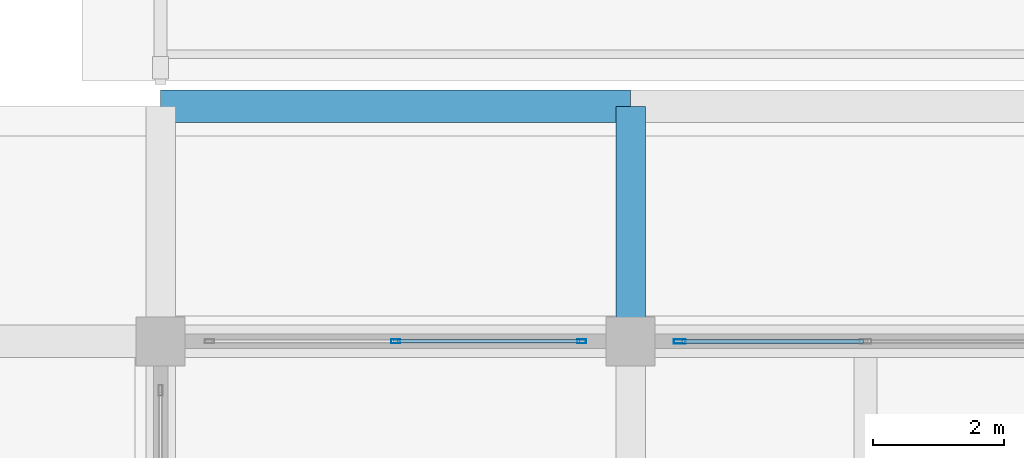
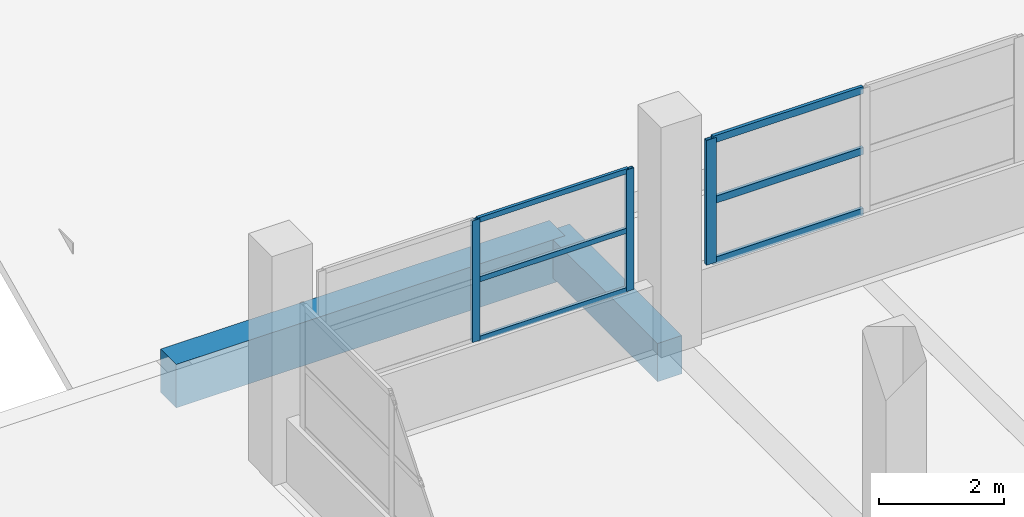
# One storey, part 60 of 141: 9 members, 2 beams, 2 elements without a shape of their own.
"""IFC4 building model written with IfcOpenShell, lengths in metres."""

from ifc_helpers import new_model, si_unit, direction, frame, origin, origin_2d, place, context, subcontext, project, spatial, rectangle, hollow_rectangle, extrude, material, layer, layer_set, material_profile, profile_set, type_object, element, aggregate, save


model = new_model("IFC4")

# Units and contexts
model_context = context("Model", 3, precision=1e-05, world=origin(), true_north=direction((0.0, 1.0)))
body_context = subcontext(model_context, "Body", "Model", "MODEL_VIEW")
ifc_project = project(units=[si_unit("LENGTHUNIT", "METRE"), si_unit("AREAUNIT", "SQUARE_METRE"), si_unit("VOLUMEUNIT", "CUBIC_METRE"), si_unit("PLANEANGLEUNIT", "RADIAN"), si_unit("MASSUNIT", "GRAM", prefix="KILO")], contexts=[model_context])

# Site, building, storey
site_placement = place(None, origin())
site = spatial("IfcSite", under=ifc_project, at=site_placement, CompositionType="ELEMENT")
building_placement = place(site_placement, origin())
building = spatial("IfcBuilding", under=site, at=building_placement, Name="Seraya Terrace Polytechnic", CompositionType="ELEMENT")
storey_placement = place(building_placement, frame((0.0, 0.0, 14.39990234375)))
storey = spatial("IfcBuildingStorey", under=building, at=storey_placement, Name="L03", CompositionType="ELEMENT", Elevation=14.39990234375)

# Beams
ifc_material_1 = material(Name="Concrete C40/50", Category="concrete")
ifc_material_profile_1 = material_profile(ifc_material_1, rectangle(XDim=0.5, YDim=0.85009765625, at=origin_2d()), Name="RC 500x850")
ifc_profile_set_1 = profile_set([ifc_material_profile_1], Name="Concrete C40/50")
beam_type_1 = type_object("IfcBeamType", Name="BM-05", PredefinedType="BEAM", material=ifc_profile_set_1)
beam_1_placement = place(storey_placement, frame((14.39990234375, 75.60009765625, -0.4248046875), z_axis=(1.0, 0.0, 0.0), x_axis=(0.0, 1.0, 0.0)))
element("IfcBeam", 1, at=beam_1_placement, inside=storey, type_object=beam_type_1, Name="Beam BM-05 L03 X (14.4..21.6, 75.6)", PredefinedType="BEAM", context=body_context, shape_type="SweptSolid", body=[
    extrude(rectangle(XDim=0.5, YDim=0.85009765625, at=origin_2d()), origin(), (0.0, 0.0, 1.0), 7.2001953125),
])
ifc_material_profile_2 = material_profile(ifc_material_1, rectangle(XDim=0.449951171875, YDim=0.75, at=origin_2d()), Name="RC 450x750")
ifc_profile_set_2 = profile_set([ifc_material_profile_2], Name="Concrete C40/50")
beam_type_2 = type_object("IfcBeamType", Name="BM-08", PredefinedType="BEAM", material=ifc_profile_set_2)
beam_2_placement = place(storey_placement, frame((21.60009765625, 72.0, -0.375), z_axis=(0.0, 1.0, 0.0), x_axis=(-1.0, 0.0, 0.0)))
element("IfcBeam", 2, at=beam_2_placement, inside=storey, type_object=beam_type_2, Name="Beam BM-08 L03 Y (21.6, 72.0..75.6)", PredefinedType="BEAM", context=body_context, shape_type="SweptSolid", body=[
    extrude(rectangle(XDim=0.449951171875, YDim=0.75, at=origin_2d()), origin(), (0.0, 0.0, 1.0), 3.60009765625),
])

# Curtain wall, member
ifc_material_2 = material(Name="Anodised aluminium EN AW-6063 T6", Category="aluminium")
ifc_layer_1 = layer(ifc_material_2, 0.179931640625, Name="CW-07")
ifc_layer_set_1 = layer_set([ifc_layer_1], Name="Anodised aluminium EN AW-6063 T6")
curtain_wall_type_1 = type_object("IfcCurtainWallType", Name="CW-07", PredefinedType="NOTDEFINED", material=ifc_layer_set_1)
curtain_wall_1_placement = place(storey_placement, origin())
curtain_wall_1 = element("IfcCurtainWall", 3, at=curtain_wall_1_placement, inside=storey, type_object=curtain_wall_type_1, Name="Unitised curtain wall CW-07 (CW-L03-115)", PredefinedType="NOTDEFINED")
ifc_material_profile_3 = material_profile(ifc_material_2, hollow_rectangle(XDim=0.06494140625, YDim=0.179931640625, WallThickness=0.00390625, at=origin_2d()), Name="RHS 180x65x4.0")
ifc_profile_set_3 = profile_set([ifc_material_profile_3], Name="Anodised aluminium EN AW-6063 T6")
member_type_1 = type_object("IfcMemberType", Name="CWM-01", PredefinedType="MULLION", material=ifc_profile_set_3)
member_1_placement = place(storey_placement, frame((22.3525390625, 72.0, 1.239990234375), z_axis=(0.0, 0.0, 1.0), x_axis=(0.0, 1.0, 0.0)))
member_1 = element("IfcMember", 4, at=member_1_placement, type_object=member_type_1, Name="CW-07 mullion 1", PredefinedType="MULLION", context=body_context, shape_type="SweptSolid", body=[
    extrude(hollow_rectangle(XDim=0.06494140625, YDim=0.179931640625, WallThickness=0.00390625, at=origin_2d()), origin(), (0.0, 0.0, 1.0), 2.440185546875),
])

# Curtain wall, members
ifc_layer_2 = layer(ifc_material_2, 0.179931640625, Name="CW-06")
ifc_layer_set_2 = layer_set([ifc_layer_2], Name="Anodised aluminium EN AW-6063 T6")
curtain_wall_type_2 = type_object("IfcCurtainWallType", Name="CW-06", PredefinedType="NOTDEFINED", material=ifc_layer_set_2)
curtain_wall_2_placement = place(storey_placement, origin())
curtain_wall_2 = element("IfcCurtainWall", 5, at=curtain_wall_2_placement, inside=storey, type_object=curtain_wall_type_2, Name="Unitised curtain wall CW-06 (CW-L03-114)", PredefinedType="NOTDEFINED")
ifc_material_profile_4 = material_profile(ifc_material_2, hollow_rectangle(XDim=0.06005859375, YDim=0.139892578125, WallThickness=0.00341796875, at=origin_2d()), Name="RHS 140x60x3.5")
ifc_profile_set_4 = profile_set([ifc_material_profile_4], Name="Anodised aluminium EN AW-6063 T6")
member_type_2 = type_object("IfcMemberType", Name="CWM-03", PredefinedType="MULLION", material=ifc_profile_set_4)
member_2_placement = place(storey_placement, frame((18.0, 72.0, 1.239990234375), z_axis=(0.0, 0.0, 1.0), x_axis=(0.0, 1.0, 0.0)))
member_2 = element("IfcMember", 6, at=member_2_placement, type_object=member_type_2, Name="CW-06 mullion 2", PredefinedType="MULLION", context=body_context, shape_type="SweptSolid", body=[
    extrude(hollow_rectangle(XDim=0.06005859375, YDim=0.139892578125, WallThickness=0.00341796875, at=origin_2d()), origin(), (0.0, 0.0, 1.0), 2.380126953125),
])
member_3_placement = place(storey_placement, frame((20.85009765625, 72.0, 1.239990234375), z_axis=(0.0, 0.0, 1.0), x_axis=(0.0, 1.0, 0.0)))
member_3 = element("IfcMember", 7, at=member_3_placement, type_object=member_type_2, Name="CW-06 mullion 3", PredefinedType="MULLION", context=body_context, shape_type="SweptSolid", body=[
    extrude(hollow_rectangle(XDim=0.06005859375, YDim=0.139892578125, WallThickness=0.00341796875, at=origin_2d()), origin(), (0.0, 0.0, 1.0), 2.380126953125),
])

# Member
ifc_material_profile_5 = material_profile(ifc_material_2, hollow_rectangle(XDim=0.06005859375, YDim=0.139892578125, WallThickness=0.00341796875, at=origin_2d()), Name="RHS 140x60x3.5")
ifc_profile_set_5 = profile_set([ifc_material_profile_5], Name="Anodised aluminium EN AW-6063 T6")
member_type_3 = type_object("IfcMemberType", Name="CWT-01", PredefinedType="USERDEFINED", material=ifc_profile_set_5)
member_4_placement = place(storey_placement, frame((22.385009765625, 72.0, 1.27001953125), z_axis=(1.0, 0.0, 0.0), x_axis=(0.0, 1.0, 0.0)))
member_4 = element("IfcMember", 8, at=member_4_placement, type_object=member_type_3, Name="CW-07 transom 1.1", ObjectType="TRANSOM", PredefinedType="USERDEFINED", context=body_context, shape_type="SweptSolid", body=[
    extrude(hollow_rectangle(XDim=0.06005859375, YDim=0.139892578125, WallThickness=0.00341796875, at=origin_2d()), origin(), (0.0, 0.0, 1.0), 2.782470703125),
])

member_5_placement = place(storey_placement, frame((22.385009765625, 72.0, 2.460205078125), z_axis=(1.0, 0.0, 0.0), x_axis=(0.0, 1.0, 0.0)))
member_5 = element("IfcMember", 9, at=member_5_placement, type_object=member_type_3, Name="CW-07 transom 1.2", ObjectType="TRANSOM", PredefinedType="USERDEFINED", context=body_context, shape_type="SweptSolid", body=[
    extrude(hollow_rectangle(XDim=0.06005859375, YDim=0.139892578125, WallThickness=0.00341796875, at=origin_2d()), origin(), (0.0, 0.0, 1.0), 2.782470703125),
])

member_6_placement = place(storey_placement, frame((22.385009765625, 72.0, 3.650146484375), z_axis=(1.0, 0.0, 0.0), x_axis=(0.0, 1.0, 0.0)))
member_6 = element("IfcMember", 10, at=member_6_placement, type_object=member_type_3, Name="CW-07 transom 1.3", ObjectType="TRANSOM", PredefinedType="USERDEFINED", context=body_context, shape_type="SweptSolid", body=[
    extrude(hollow_rectangle(XDim=0.06005859375, YDim=0.139892578125, WallThickness=0.00341796875, at=origin_2d()), origin(), (0.0, 0.0, 1.0), 2.782470703125),
])

aggregate(curtain_wall_1, [member_1, member_4, member_5, member_6])

ifc_material_profile_6 = material_profile(ifc_material_2, hollow_rectangle(XDim=0.054931640625, YDim=0.10009765625, WallThickness=0.0029296875, at=origin_2d()), Name="RHS 100x55x3.0")
ifc_profile_set_6 = profile_set([ifc_material_profile_6], Name="Anodised aluminium EN AW-6063 T6")
member_type_4 = type_object("IfcMemberType", Name="CWT-03", PredefinedType="USERDEFINED", material=ifc_profile_set_6)
member_7_placement = place(storey_placement, frame((18.030029296875, 72.0, 1.267578125), z_axis=(1.0, 0.0, 0.0), x_axis=(0.0, 1.0, 0.0)))
member_7 = element("IfcMember", 11, at=member_7_placement, type_object=member_type_4, Name="CW-06 transom 2.1", ObjectType="TRANSOM", PredefinedType="USERDEFINED", context=body_context, shape_type="SweptSolid", body=[
    extrude(hollow_rectangle(XDim=0.054931640625, YDim=0.10009765625, WallThickness=0.0029296875, at=origin_2d()), origin(), (0.0, 0.0, 1.0), 2.7900390625),
])

member_8_placement = place(storey_placement, frame((18.030029296875, 72.0, 2.43017578125), z_axis=(1.0, 0.0, 0.0), x_axis=(0.0, 1.0, 0.0)))
member_8 = element("IfcMember", 12, at=member_8_placement, type_object=member_type_4, Name="CW-06 transom 2.2", ObjectType="TRANSOM", PredefinedType="USERDEFINED", context=body_context, shape_type="SweptSolid", body=[
    extrude(hollow_rectangle(XDim=0.054931640625, YDim=0.10009765625, WallThickness=0.0029296875, at=origin_2d()), origin(), (0.0, 0.0, 1.0), 2.7900390625),
])

member_9_placement = place(storey_placement, frame((18.030029296875, 72.0, 3.592529296875), z_axis=(1.0, 0.0, 0.0), x_axis=(0.0, 1.0, 0.0)))
member_9 = element("IfcMember", 13, at=member_9_placement, type_object=member_type_4, Name="CW-06 transom 2.3", ObjectType="TRANSOM", PredefinedType="USERDEFINED", context=body_context, shape_type="SweptSolid", body=[
    extrude(hollow_rectangle(XDim=0.054931640625, YDim=0.10009765625, WallThickness=0.0029296875, at=origin_2d()), origin(), (0.0, 0.0, 1.0), 2.7900390625),
])

aggregate(curtain_wall_2, [member_2, member_3, member_7, member_8, member_9])

save(model, "model.ifc")
